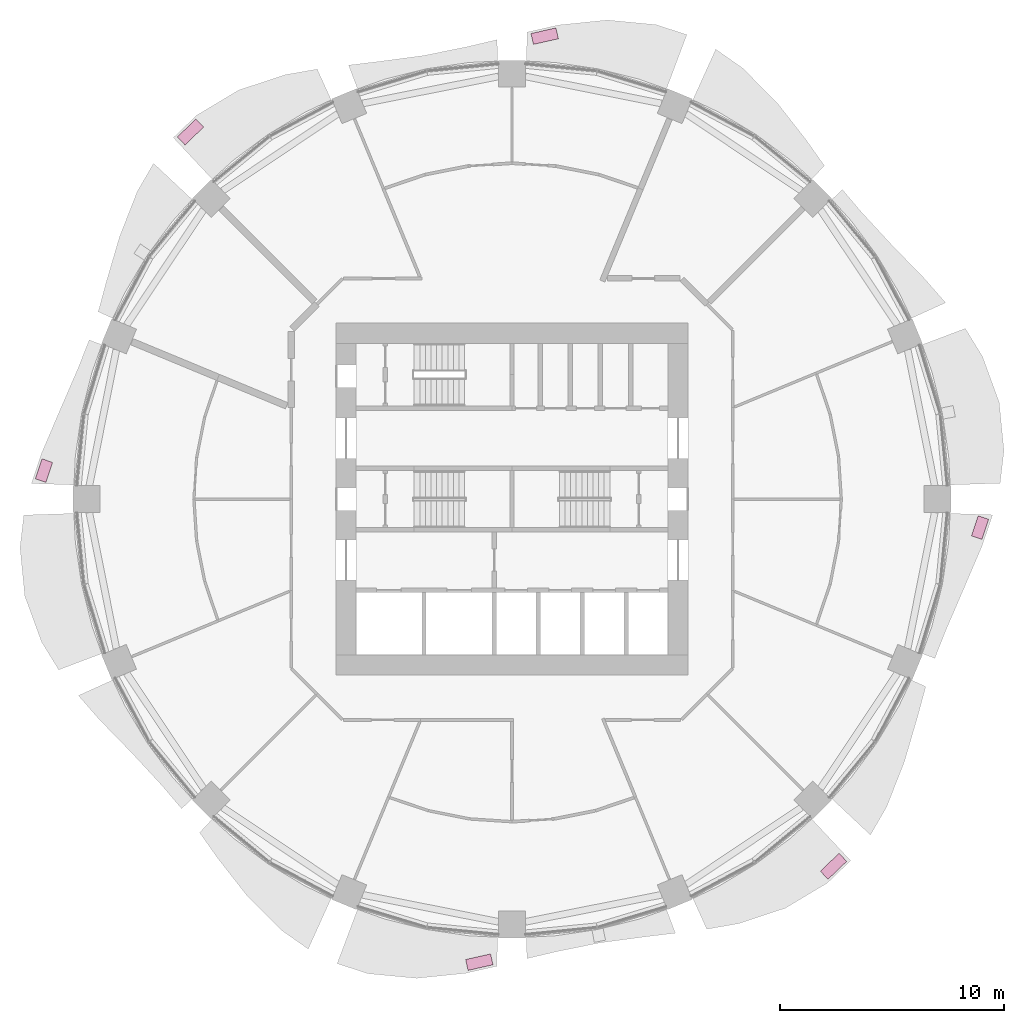
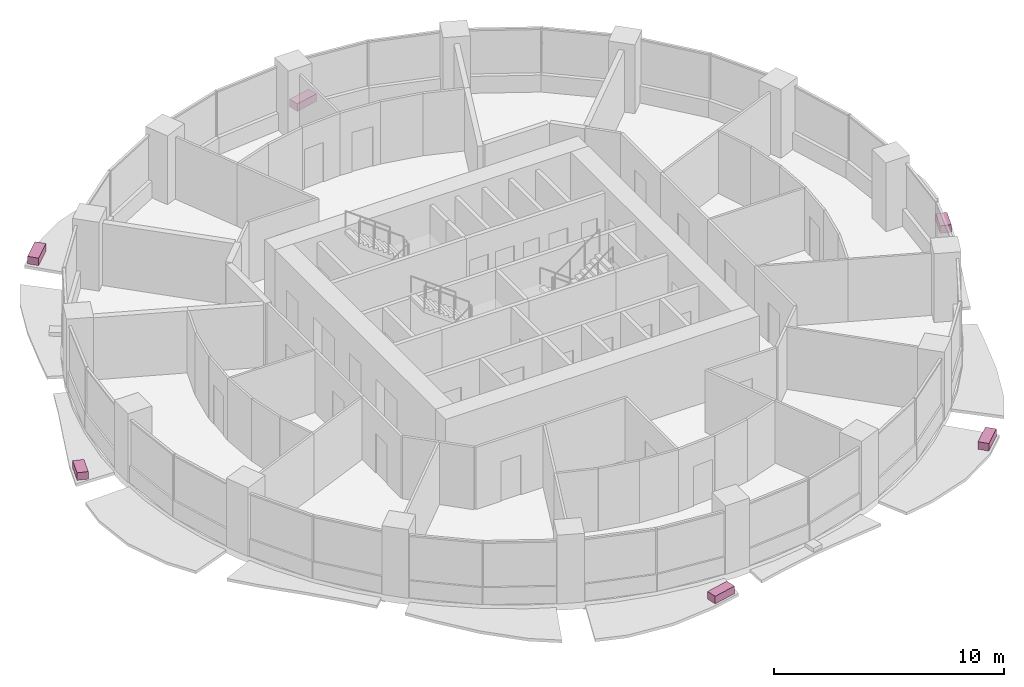
# One storey, part 15 of 15: 6 furniture elements.
"""IFC4 building model written with IfcOpenShell, lengths in metres."""

from ifc_helpers import new_model, si_unit, direction, frame, origin, origin_2d, place, context, subcontext, project, spatial, rectangle, extrude, material, type_object, element, save


model = new_model("IFC4")

# Units and contexts
model_context = context("Model", 3, precision=1e-05, world=origin(), true_north=direction((0.0, 1.0)))
body_context = subcontext(model_context, "Body", "Model", "MODEL_VIEW")
ifc_project = project(units=[si_unit("LENGTHUNIT", "METRE"), si_unit("AREAUNIT", "SQUARE_METRE"), si_unit("VOLUMEUNIT", "CUBIC_METRE"), si_unit("PLANEANGLEUNIT", "RADIAN"), si_unit("MASSUNIT", "GRAM", prefix="KILO")], contexts=[model_context])

# Site, building, storey
site_placement = place(None, origin())
site = spatial("IfcSite", under=ifc_project, at=site_placement, CompositionType="ELEMENT")
building_placement = place(site_placement, origin())
building = spatial("IfcBuilding", under=site, at=building_placement, Name="Polderwave Tower", CompositionType="ELEMENT")
storey_placement = place(building_placement, frame((0.0, 0.0, 48.10009765625)))
storey = spatial("IfcBuildingStorey", under=building, at=storey_placement, Name="L12", CompositionType="ELEMENT", Elevation=48.10009765625)

# Furniture
ifc_material = material(Name="Terracotta", Category="masonry")
furniture_type = type_object("IfcFurnitureType", Name="Terracotta planting trough", AssemblyPlace="NOTDEFINED", PredefinedType="USERDEFINED", material=ifc_material)
furniture_1_placement = place(storey_placement, frame((1.4619140625, 20.713623046875, -0.199951171875), z_axis=(0.0, 0.0, 1.0), x_axis=(-0.975429297501, -0.220312699536, 0.0)))
element("IfcFurniture", 1, at=furniture_1_placement, inside=storey, type_object=furniture_type, Name="Planting trough L12 4", ObjectType="PLANTER", PredefinedType="USERDEFINED", context=body_context, shape_type="SweptSolid", body=[
    extrude(rectangle(XDim=1.14453125, YDim=0.5, at=origin_2d()), origin(), (0.0, 0.0, 1.0), 0.39990234375),
])
furniture_2_placement = place(storey_placement, frame((-14.384521484375, 16.42431640625, -0.199951171875), z_axis=(0.0, 0.0, 1.0), x_axis=(-0.72219014306, -0.691694583806, 0.0)))
element("IfcFurniture", 2, at=furniture_2_placement, inside=storey, type_object=furniture_type, Name="Planting trough L12 6", ObjectType="PLANTER", PredefinedType="USERDEFINED", context=body_context, shape_type="SweptSolid", body=[
    extrude(rectangle(XDim=1.15771484375, YDim=0.5, at=origin_2d()), origin(), (0.0, 0.0, 1.0), 0.39990234375),
])
furniture_3_placement = place(storey_placement, frame((-20.9384765625, 1.275390625, -0.199951171875), z_axis=(0.0, 0.0, 1.0), x_axis=(-0.316763374953, -0.94850459371, 0.0)))
element("IfcFurniture", 3, at=furniture_3_placement, inside=storey, type_object=furniture_type, Name="Planting trough L12 8", ObjectType="PLANTER", PredefinedType="USERDEFINED", context=body_context, shape_type="SweptSolid", body=[
    extrude(rectangle(XDim=0.947021484375, YDim=0.5, at=origin_2d()), origin(), (0.0, 0.0, 1.0), 0.39990234375),
])
furniture_4_placement = place(storey_placement, frame((-1.4619140625, -20.713623046875, -0.199951171875), z_axis=(0.0, 0.0, 1.0), x_axis=(0.975429297501, 0.220312699536, 0.0)))
element("IfcFurniture", 4, at=furniture_4_placement, inside=storey, type_object=furniture_type, Name="Planting trough L12 12", ObjectType="PLANTER", PredefinedType="USERDEFINED", context=body_context, shape_type="SweptSolid", body=[
    extrude(rectangle(XDim=1.14453125, YDim=0.5, at=origin_2d()), origin(), (0.0, 0.0, 1.0), 0.39990234375),
])
furniture_5_placement = place(storey_placement, frame((14.384521484375, -16.42431640625, -0.199951171875), z_axis=(0.0, 0.0, 1.0), x_axis=(0.72219014306, 0.691694583806, 0.0)))
element("IfcFurniture", 5, at=furniture_5_placement, inside=storey, type_object=furniture_type, Name="Planting trough L12 14", ObjectType="PLANTER", PredefinedType="USERDEFINED", context=body_context, shape_type="SweptSolid", body=[
    extrude(rectangle(XDim=1.15771484375, YDim=0.5, at=origin_2d()), origin(), (0.0, 0.0, 1.0), 0.39990234375),
])
furniture_6_placement = place(storey_placement, frame((20.9384765625, -1.275390625, -0.199951171875), z_axis=(0.0, 0.0, 1.0), x_axis=(0.316763374953, 0.94850459371, 0.0)))
element("IfcFurniture", 6, at=furniture_6_placement, inside=storey, type_object=furniture_type, Name="Planting trough L12 16", ObjectType="PLANTER", PredefinedType="USERDEFINED", context=body_context, shape_type="SweptSolid", body=[
    extrude(rectangle(XDim=0.947021484375, YDim=0.5, at=origin_2d()), origin(), (0.0, 0.0, 1.0), 0.39990234375),
])

save(model, "model.ifc")
